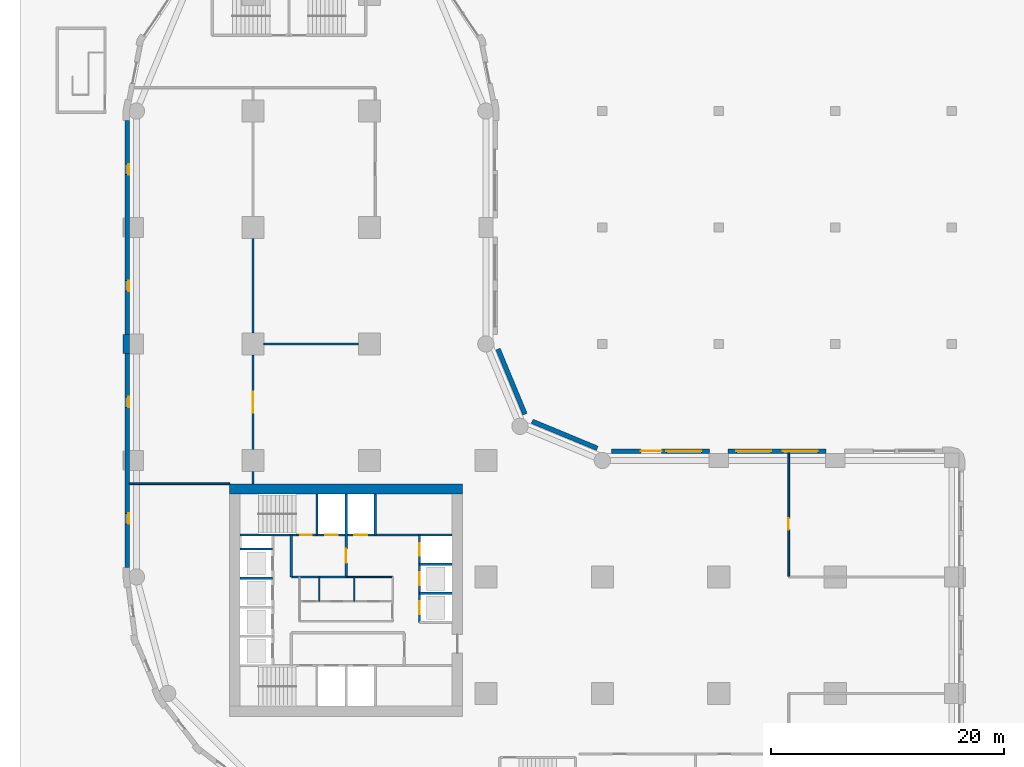
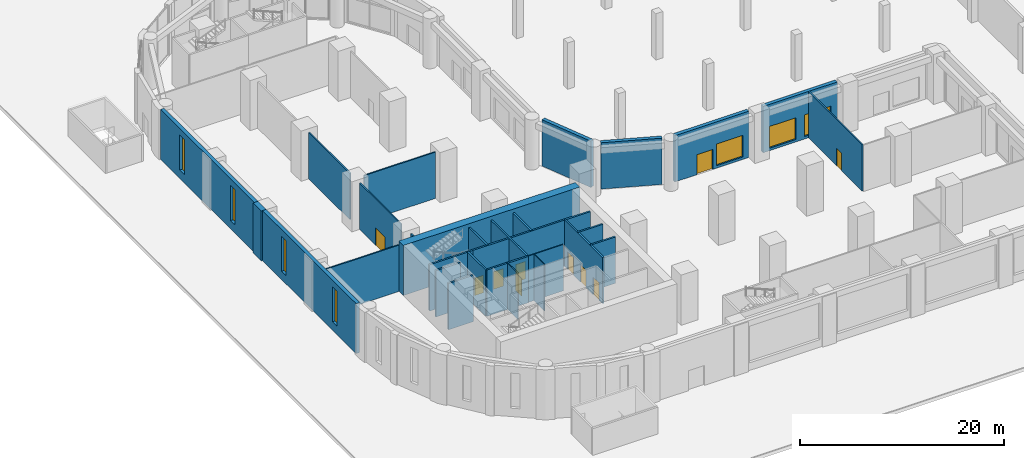
# One storey, part 9 of 21: 29 walls, 10 doors, 7 windows, 17 openings.
"""IFC4 building model written with IfcOpenShell, lengths in metres."""

from ifc_helpers import new_model, si_unit, direction, frame, frame_2d, origin, place, context, subcontext, project, spatial, polyline, rectangle, outline, extrude, material, layer, layer_set, type_object, element, fill, save


model = new_model("IFC4")

# Units and contexts
model_context = context("Model", 3, precision=1e-05, world=origin(), true_north=direction((0.0, 1.0)))
body_context = subcontext(model_context, "Body", "Model", "MODEL_VIEW")
ifc_project = project(units=[si_unit("LENGTHUNIT", "METRE"), si_unit("AREAUNIT", "SQUARE_METRE"), si_unit("VOLUMEUNIT", "CUBIC_METRE"), si_unit("PLANEANGLEUNIT", "RADIAN"), si_unit("MASSUNIT", "GRAM", prefix="KILO")], contexts=[model_context])

# Site, building, storey
site_placement = place(None, origin())
site = spatial("IfcSite", under=ifc_project, at=site_placement, CompositionType="ELEMENT")
building_placement = place(site_placement, origin())
building = spatial("IfcBuilding", under=site, at=building_placement, Name="Qaws Garden Tower", CompositionType="ELEMENT")
storey_placement = place(building_placement, origin())
storey = spatial("IfcBuildingStorey", under=building, at=storey_placement, Name="L00", CompositionType="ELEMENT", Elevation=0.0)

# Wall, openings, windows
ifc_material_1 = material(Name="Brick masonry", Category="masonry")
ifc_layer_1 = layer(ifc_material_1, 0.39990234375)
ifc_layer_set_1 = layer_set([ifc_layer_1], Name="Brick masonry")
wall_type_1 = type_object("IfcWallType", Name="Base facade wall 400", PredefinedType="SOLIDWALL", material=ifc_layer_set_1)
wall_1_placement = place(storey_placement, frame((59.199951171875, 30.800048828125, 0.0), z_axis=(0.0, 0.0, 1.0), x_axis=(-1.0, 0.0, 0.0)))
wall_1 = element("IfcWall", 1, at=wall_1_placement, inside=storey, type_object=wall_type_1, Name="Base facade wall", PredefinedType="SOLIDWALL", context=body_context, shape_type="SweptSolid", body=[
    extrude(rectangle(XDim=8.39990234375, YDim=0.39990234375, at=frame_2d((4.199951171875, 0.0))), origin(), (0.0, 0.0, 1.0), 5.550048828125),
])
opening_1_placement = place(wall_1_placement, frame((0.699951171875, 0.0, 0.300048828125)))
opening_1 = element("IfcOpeningElement", 2, at=opening_1_placement, cuts=wall_1, Name="Opening PW-S1", PredefinedType="OPENING", context=body_context, shape_type="SweptSolid", body=[
    extrude(rectangle(XDim=3.0, YDim=2.60009765625, at=frame_2d((1.5, 1.300048828125))), frame((0.0, 0.2099609375, 0.0), z_axis=(0.0, -1.0, 0.0), x_axis=(1.0, 0.0, 0.0)), (0.0, 0.0, 1.0), 0.419921875),
])
opening_2_placement = place(wall_1_placement, frame((4.699951171875, 0.0, 0.300048828125)))
opening_2 = element("IfcOpeningElement", 3, at=opening_2_placement, cuts=wall_1, Name="Opening PW-S1", PredefinedType="OPENING", context=body_context, shape_type="SweptSolid", body=[
    extrude(rectangle(XDim=3.0, YDim=2.60009765625, at=frame_2d((1.5, 1.300048828125))), frame((0.0, 0.2099609375, 0.0), z_axis=(0.0, -1.0, 0.0), x_axis=(1.0, 0.0, 0.0)), (0.0, 0.0, 1.0), 0.419921875),
])
ifc_material_2 = material(Name="Aluminium and clear glass", Category="aluminium")
window_type_1 = type_object("IfcWindowType", Name="Shopfront window 3000", PartitioningType="TRIPLE_PANEL_VERTICAL", PredefinedType="WINDOW", material=ifc_material_2)
window_1_placement = place(opening_1_placement, origin())
window_1 = element("IfcWindow", 4, at=window_1_placement, inside=storey, type_object=window_type_1, Name="Shopfront window", OverallHeight=2.60009765625, OverallWidth=3.0, PartitioningType="SINGLE_PANEL", PredefinedType="WINDOW", context=body_context, shape_type="SweptSolid", body=[
    extrude(rectangle(XDim=3.0, YDim=2.60009765625, at=frame_2d((1.5, 1.300048828125))), frame((0.0, 0.030029296875, 0.0), z_axis=(0.0, -1.0, 0.0), x_axis=(1.0, 0.0, 0.0)), (0.0, 0.0, 1.0), 0.06005859375),
])
fill(opening_1, window_1)
window_2_placement = place(opening_2_placement, origin())
window_2 = element("IfcWindow", 5, at=window_2_placement, inside=storey, type_object=window_type_1, Name="Shopfront window", OverallHeight=2.60009765625, OverallWidth=3.0, PartitioningType="SINGLE_PANEL", PredefinedType="WINDOW", context=body_context, shape_type="SweptSolid", body=[
    extrude(rectangle(XDim=3.0, YDim=2.60009765625, at=frame_2d((1.5, 1.300048828125))), frame((0.0, 0.030029296875, 0.0), z_axis=(0.0, -1.0, 0.0), x_axis=(1.0, 0.0, 0.0)), (0.0, 0.0, 1.0), 0.06005859375),
])
fill(opening_2, window_2)

# Wall, openings, door, window
wall_2_placement = place(storey_placement, frame((49.199951171875, 30.800048828125, 0.0), z_axis=(0.0, 0.0, 1.0), x_axis=(-1.0, 0.0, 0.0)))
wall_2 = element("IfcWall", 6, at=wall_2_placement, inside=storey, type_object=wall_type_1, Name="Base facade wall", PredefinedType="SOLIDWALL", context=body_context, shape_type="SweptSolid", body=[
    extrude(rectangle(XDim=8.39990234375, YDim=0.39990234375, at=frame_2d((4.199951171875, 0.0))), origin(), (0.0, 0.0, 1.0), 5.550048828125),
])
opening_3_placement = place(wall_2_placement, frame((0.699951171875, 0.0, 0.300048828125)))
opening_3 = element("IfcOpeningElement", 7, at=opening_3_placement, cuts=wall_2, Name="Opening PW-S1", PredefinedType="OPENING", context=body_context, shape_type="SweptSolid", body=[
    extrude(rectangle(XDim=3.0, YDim=2.60009765625, at=frame_2d((1.5, 1.300048828125))), frame((0.0, 0.2099609375, 0.0), z_axis=(0.0, -1.0, 0.0), x_axis=(1.0, 0.0, 0.0)), (0.0, 0.0, 1.0), 0.419921875),
])
opening_4_placement = place(wall_2_placement, frame((4.10009765625, 0.0, 0.0)))
opening_4 = element("IfcOpeningElement", 8, at=opening_4_placement, cuts=wall_2, Name="Opening PD6-05", PredefinedType="OPENING", context=body_context, shape_type="SweptSolid", body=[
    extrude(rectangle(XDim=1.800048828125, YDim=2.39990234375, at=frame_2d((0.89990234375, 1.199951171875))), frame((0.0, 0.2099609375, 0.0), z_axis=(0.0, -1.0, 0.0), x_axis=(1.0, 0.0, 0.0)), (0.0, 0.0, 1.0), 0.419921875),
])
ifc_material_3 = material(Name="Steel S235 framed door leaf", Category="steel")
door_type_1 = type_object("IfcDoorType", Name="Door D6 shopfront entrance 1800", OperationType="DOUBLE_DOOR_SINGLE_SWING", PredefinedType="DOOR", material=ifc_material_3)
door_1_placement = place(opening_4_placement, origin())
door_1 = element("IfcDoor", 9, at=door_1_placement, inside=storey, type_object=door_type_1, Name="Tower entrance door", OperationType="DOUBLE_DOOR_SINGLE_SWING", OverallHeight=2.39990234375, OverallWidth=1.800048828125, PredefinedType="DOOR", context=body_context, shape_type="SweptSolid", body=[
    extrude(rectangle(XDim=1.800048828125, YDim=2.39990234375, at=frame_2d((0.89990234375, 1.199951171875))), frame((0.0, 0.02490234375, 0.0), z_axis=(0.0, -1.0, 0.0), x_axis=(1.0, 0.0, 0.0)), (0.0, 0.0, 1.0), 0.050048828125),
])
fill(opening_4, door_1)
window_3_placement = place(opening_3_placement, origin())
window_3 = element("IfcWindow", 10, at=window_3_placement, inside=storey, type_object=window_type_1, Name="Shopfront window", OverallHeight=2.60009765625, OverallWidth=3.0, PartitioningType="SINGLE_PANEL", PredefinedType="WINDOW", context=body_context, shape_type="SweptSolid", body=[
    extrude(rectangle(XDim=3.0, YDim=2.60009765625, at=frame_2d((1.5, 1.300048828125))), frame((0.0, 0.030029296875, 0.0), z_axis=(0.0, -1.0, 0.0), x_axis=(1.0, 0.0, 0.0)), (0.0, 0.0, 1.0), 0.06005859375),
])
fill(opening_3, window_3)

# Walls
for number, where, z_axis, x_axis, name in (
    (11, (39.56689453125, 31.04541015625, 0.0), (0.0, 0.0, 1.0), (-0.923891000409, 0.382655745237, 0.0), "Base facade wall"),
    (12, (33.36181640625, 33.97412109375, 0.0), (0.0, 0.0, 1.0), (-0.382655745237, 0.923891000409, 0.0), "Base facade wall"),
):
    element("IfcWall", number, at=place(storey_placement, frame(where, z_axis=z_axis, x_axis=x_axis)), inside=storey, type_object=wall_type_1, Name=name, PredefinedType="SOLIDWALL", context=body_context, shape_type="SweptSolid", body=[
        extrude(rectangle(XDim=6.053466796875, YDim=0.39990234375, at=frame_2d((3.02685546875, 0.0))), origin(), (0.0, 0.0, 1.0), 5.550048828125),
    ])
ifc_material_4 = material(Name="Plasterboard")
ifc_layer_2 = layer(ifc_material_4, 0.10009765625)
ifc_layer_set_2 = layer_set([ifc_layer_2], Name="Plasterboard")
wall_type_2 = type_object("IfcWallType", Name="Core partition 100", PredefinedType="PARTITIONING", material=ifc_layer_set_2)
wall_3_placement = place(storey_placement, frame((18.0, 20.0, 0.0), z_axis=(0.0, 0.0, 1.0), x_axis=(1.0, 0.0, 0.0)))
element("IfcWall", 13, at=wall_3_placement, inside=storey, type_object=wall_type_2, Name="Core partition", PredefinedType="PARTITIONING", context=body_context, shape_type="SweptSolid", body=[
    extrude(rectangle(XDim=4.0, YDim=0.10009765625, at=frame_2d((2.0, 0.0))), origin(), (0.0, 0.0, 1.0), 5.550048828125),
])
for number, where, z_axis, x_axis, name in (
    (14, (15.699951171875, 17.89990234375, 0.0), (0.0, 0.0, 1.0), (0.0, 1.0, 0.0), "Core partition"),
    (15, (18.699951171875, 17.89990234375, 0.0), (0.0, 0.0, 1.0), (0.0, 1.0, 0.0), "Core partition"),
):
    element("IfcWall", number, at=place(storey_placement, frame(where, z_axis=z_axis, x_axis=x_axis)), inside=storey, type_object=wall_type_2, Name=name, PredefinedType="PARTITIONING", context=body_context, shape_type="SweptSolid", body=[
        extrude(rectangle(XDim=2.10009765625, YDim=0.10009765625, at=frame_2d((1.050048828125, 0.0))), origin(), (0.0, 0.0, 1.0), 5.550048828125),
    ])
ifc_material_5 = material(Name="Concrete C80", Category="concrete")
ifc_layer_3 = layer(ifc_material_5, 0.199951171875)
ifc_layer_set_3 = layer_set([ifc_layer_3], Name="Concrete C80")
wall_type_3 = type_object("IfcWallType", Name="Core shaft wall 200 C80", PredefinedType="SHEAR", material=ifc_layer_set_3)
for number, where, z_axis, x_axis, name in (
    (16, (24.300048828125, 18.60009765625, 0.0), (0.0, 0.0, 1.0), (1.0, 0.0, 0.0), "Shaft wall"),
    (17, (8.89990234375, 19.89990234375, 0.0), (0.0, 0.0, 1.0), (1.0, 0.0, 0.0), "Shaft wall"),
):
    element("IfcWall", number, at=place(storey_placement, frame(where, z_axis=z_axis, x_axis=x_axis)), inside=storey, type_object=wall_type_3, Name=name, PredefinedType="SHEAR", context=body_context, shape_type="SweptSolid", body=[
        extrude(rectangle(XDim=2.800048828125, YDim=0.199951171875, at=frame_2d((1.39990234375, 0.0))), origin(), (0.0, 0.0, 1.0), 5.550048828125),
    ])
wall_4_placement = place(storey_placement, frame((13.300048828125, 20.0, 0.0), z_axis=(0.0, 0.0, 1.0), x_axis=(1.0, 0.0, 0.0)))
element("IfcWall", 18, at=wall_4_placement, inside=storey, type_object=wall_type_3, Name="Shaft wall", PredefinedType="SHEAR", context=body_context, shape_type="SweptSolid", body=[
    extrude(rectangle(XDim=4.699951171875, YDim=0.199951171875, at=frame_2d((2.35009765625, 0.0))), origin(), (0.0, 0.0, 1.0), 5.550048828125),
])
for number, where, z_axis, x_axis, name in (
    (19, (24.300048828125, 21.10009765625, 0.0), (0.0, 0.0, 1.0), (1.0, 0.0, 0.0), "Shaft wall"),
    (20, (8.89990234375, 22.39990234375, 0.0), (0.0, 0.0, 1.0), (1.0, 0.0, 0.0), "Shaft wall"),
):
    element("IfcWall", number, at=place(storey_placement, frame(where, z_axis=z_axis, x_axis=x_axis)), inside=storey, type_object=wall_type_3, Name=name, PredefinedType="SHEAR", context=body_context, shape_type="SweptSolid", body=[
        extrude(rectangle(XDim=2.800048828125, YDim=0.199951171875, at=frame_2d((1.39990234375, 0.0))), origin(), (0.0, 0.0, 1.0), 5.550048828125),
    ])
wall_5_placement = place(storey_placement, frame((8.89990234375, 23.60009765625, 0.0), z_axis=(0.0, 0.0, 1.0), x_axis=(1.0, 0.0, 0.0)))
element("IfcWall", 21, at=wall_5_placement, inside=storey, type_object=wall_type_3, Name="Shaft wall", PredefinedType="SHEAR", context=body_context, shape_type="SweptSolid", body=[
    extrude(rectangle(XDim=4.900146484375, YDim=0.199951171875, at=frame_2d((2.4501953125, 0.0))), origin(), (0.0, 0.0, 1.0), 5.550048828125),
])

# Wall, openings, doors
wall_6_placement = place(storey_placement, frame((13.800048828125, 23.60009765625, 0.0), z_axis=(0.0, 0.0, 1.0), x_axis=(1.0, 0.0, 0.0)))
wall_6 = element("IfcWall", 22, at=wall_6_placement, inside=storey, type_object=wall_type_3, Name="Shaft wall", PredefinedType="SHEAR", context=body_context, shape_type="SweptSolid", body=[
    extrude(rectangle(XDim=13.300048828125, YDim=0.199951171875, at=frame_2d((6.64990234375, 0.0))), origin(), (0.0, 0.0, 1.0), 5.550048828125),
])
opening_5_placement = place(wall_6_placement, frame((2.39990234375, 0.0, 0.0)))
opening_5 = element("IfcOpeningElement", 23, at=opening_5_placement, cuts=wall_6, Name="Opening LD10", PredefinedType="OPENING", context=body_context, shape_type="SweptSolid", body=[
    extrude(rectangle(XDim=1.10009765625, YDim=2.10009765625, at=frame_2d((0.550048828125, 1.050048828125))), frame((0.0, 0.10986328125, 0.0), z_axis=(0.0, -1.0, 0.0), x_axis=(1.0, 0.0, 0.0)), (0.0, 0.0, 1.0), 0.219970703125),
])
opening_6_placement = place(wall_6_placement, frame((4.89990234375, 0.0, 0.0)))
opening_6 = element("IfcOpeningElement", 24, at=opening_6_placement, cuts=wall_6, Name="Opening LD11", PredefinedType="OPENING", context=body_context, shape_type="SweptSolid", body=[
    extrude(rectangle(XDim=1.10009765625, YDim=2.10009765625, at=frame_2d((0.550048828125, 1.050048828125))), frame((0.0, 0.10986328125, 0.0), z_axis=(0.0, -1.0, 0.0), x_axis=(1.0, 0.0, 0.0)), (0.0, 0.0, 1.0), 0.219970703125),
])
opening_7_placement = place(wall_6_placement, frame((0.25, 0.0, 0.0)))
opening_7 = element("IfcOpeningElement", 25, at=opening_7_placement, cuts=wall_6, Name="Opening SD13", PredefinedType="OPENING", context=body_context, shape_type="SweptSolid", body=[
    extrude(rectangle(XDim=1.0, YDim=2.10009765625, at=frame_2d((0.5, 1.050048828125))), frame((0.0, 0.10986328125, 0.0), z_axis=(0.0, -1.0, 0.0), x_axis=(1.0, 0.0, 0.0)), (0.0, 0.0, 1.0), 0.219970703125),
])
ifc_material_6 = material(Name="Steel S235", Category="steel")
door_type_2 = type_object("IfcDoorType", Name="Landing door 1100x2100", OperationType="DOUBLE_DOOR_SLIDING", PredefinedType="DOOR", material=ifc_material_6)
door_2_placement = place(opening_5_placement, origin())
door_2 = element("IfcDoor", 26, at=door_2_placement, inside=storey, type_object=door_type_2, Name="Lift FF3 landing door", OperationType="DOUBLE_DOOR_SLIDING", OverallHeight=2.10009765625, OverallWidth=1.10009765625, PredefinedType="DOOR", context=body_context, shape_type="SweptSolid", body=[
    extrude(rectangle(XDim=1.10009765625, YDim=2.10009765625, at=frame_2d((0.550048828125, 1.050048828125))), frame((0.0, 0.02490234375, 0.0), z_axis=(0.0, -1.0, 0.0), x_axis=(1.0, 0.0, 0.0)), (0.0, 0.0, 1.0), 0.050048828125),
])
fill(opening_5, door_2)
door_3_placement = place(opening_6_placement, origin())
door_3 = element("IfcDoor", 27, at=door_3_placement, inside=storey, type_object=door_type_2, Name="Lift SV2 landing door", OperationType="DOUBLE_DOOR_SLIDING", OverallHeight=2.10009765625, OverallWidth=1.10009765625, PredefinedType="DOOR", context=body_context, shape_type="SweptSolid", body=[
    extrude(rectangle(XDim=1.10009765625, YDim=2.10009765625, at=frame_2d((0.550048828125, 1.050048828125))), frame((0.0, 0.02490234375, 0.0), z_axis=(0.0, -1.0, 0.0), x_axis=(1.0, 0.0, 0.0)), (0.0, 0.0, 1.0), 0.050048828125),
])
fill(opening_6, door_3)
ifc_material_7 = material(Name="Steel S235", Category="steel")
door_type_3 = type_object("IfcDoorType", Name="Stair door 1000x2100", OperationType="SINGLE_SWING_RIGHT", PredefinedType="DOOR", material=ifc_material_7)
door_4_placement = place(opening_7_placement, origin())
door_4 = element("IfcDoor", 28, at=door_4_placement, inside=storey, type_object=door_type_3, Name="Stair 4 door", OperationType="SINGLE_SWING_RIGHT", OverallHeight=2.10009765625, OverallWidth=1.0, PredefinedType="DOOR", context=body_context, shape_type="SweptSolid", body=[
    extrude(rectangle(XDim=1.0, YDim=2.10009765625, at=frame_2d((0.5, 1.050048828125))), frame((0.0, 0.02490234375, 0.0), z_axis=(0.0, -1.0, 0.0), x_axis=(1.0, 0.0, 0.0)), (0.0, 0.0, 1.0), 0.050048828125),
])
fill(opening_7, door_4)

# Walls
wall_7_placement = place(storey_placement, frame((13.300048828125, 20.0, 0.0), z_axis=(0.0, 0.0, 1.0), x_axis=(0.0, 1.0, 0.0)))
element("IfcWall", 29, at=wall_7_placement, inside=storey, type_object=wall_type_3, Name="Shaft wall", PredefinedType="SHEAR", context=body_context, shape_type="SweptSolid", body=[
    extrude(rectangle(XDim=3.60009765625, YDim=0.199951171875, at=frame_2d((1.800048828125, 0.0))), origin(), (0.0, 0.0, 1.0), 5.550048828125),
])
wall_8_placement = place(storey_placement, frame((15.5, 23.60009765625, 0.0), z_axis=(0.0, 0.0, 1.0), x_axis=(0.0, 1.0, 0.0)))
element("IfcWall", 30, at=wall_8_placement, inside=storey, type_object=wall_type_3, Name="Shaft wall", PredefinedType="SHEAR", context=body_context, shape_type="SweptSolid", body=[
    extrude(rectangle(XDim=3.5, YDim=0.199951171875, at=frame_2d((1.75, 0.0))), origin(), (0.0, 0.0, 1.0), 5.550048828125),
])

# Wall, opening, door
wall_9_placement = place(storey_placement, frame((18.0, 20.0, 0.0), z_axis=(0.0, 0.0, 1.0), x_axis=(0.0, 1.0, 0.0)))
wall_9 = element("IfcWall", 31, at=wall_9_placement, inside=storey, type_object=wall_type_3, Name="Shaft wall", PredefinedType="SHEAR", context=body_context, shape_type="SweptSolid", body=[
    extrude(rectangle(XDim=7.10009765625, YDim=0.199951171875, at=frame_2d((3.550048828125, 0.0))), origin(), (0.0, 0.0, 1.0), 5.550048828125),
])
opening_8_placement = place(wall_9_placement, frame((1.199951171875, 0.0, 0.0)))
opening_8 = element("IfcOpeningElement", 32, at=opening_8_placement, cuts=wall_9, Name="Opening FD18", PredefinedType="OPENING", context=body_context, shape_type="SweptSolid", body=[
    extrude(rectangle(XDim=1.199951171875, YDim=2.10009765625, at=frame_2d((0.60009765625, 1.050048828125))), frame((0.0, 0.10986328125, 0.0), z_axis=(0.0, -1.0, 0.0), x_axis=(1.0, 0.0, 0.0)), (0.0, 0.0, 1.0), 0.219970703125),
])
ifc_material_8 = material(Name="Steel S235", Category="steel")
door_type_4 = type_object("IfcDoorType", Name="Lobby door 1200x2100", OperationType="DOUBLE_DOOR_SINGLE_SWING", PredefinedType="DOOR", material=ifc_material_8)
door_5_placement = place(opening_8_placement, origin())
door_5 = element("IfcDoor", 33, at=door_5_placement, inside=storey, type_object=door_type_4, Name="Fire-fighting lobby door", OperationType="DOUBLE_DOOR_SINGLE_SWING", OverallHeight=2.10009765625, OverallWidth=1.199951171875, PredefinedType="DOOR", context=body_context, shape_type="SweptSolid", body=[
    extrude(rectangle(XDim=1.199951171875, YDim=2.10009765625, at=frame_2d((0.60009765625, 1.050048828125))), frame((0.0, 0.02490234375, 0.0), z_axis=(0.0, -1.0, 0.0), x_axis=(1.0, 0.0, 0.0)), (0.0, 0.0, 1.0), 0.050048828125),
])
fill(opening_8, door_5)

# Wall
wall_10_placement = place(storey_placement, frame((20.5, 23.60009765625, 0.0), z_axis=(0.0, 0.0, 1.0), x_axis=(0.0, 1.0, 0.0)))
element("IfcWall", 34, at=wall_10_placement, inside=storey, type_object=wall_type_3, Name="Shaft wall", PredefinedType="SHEAR", context=body_context, shape_type="SweptSolid", body=[
    extrude(rectangle(XDim=3.5, YDim=0.199951171875, at=frame_2d((1.75, 0.0))), origin(), (0.0, 0.0, 1.0), 5.550048828125),
])

# Wall, openings, doors
wall_11_placement = place(storey_placement, frame((24.300048828125, 16.10009765625, 0.0), z_axis=(0.0, 0.0, 1.0), x_axis=(0.0, 1.0, 0.0)))
wall_11 = element("IfcWall", 35, at=wall_11_placement, inside=storey, type_object=wall_type_3, Name="Shaft wall", PredefinedType="SHEAR", context=body_context, shape_type="SweptSolid", body=[
    extrude(rectangle(XDim=7.5, YDim=0.199951171875, at=frame_2d((3.75, 0.0))), origin(), (0.0, 0.0, 1.0), 5.550048828125),
])
opening_9_placement = place(wall_11_placement, frame((0.699951171875, 0.0, 0.0)))
opening_9 = element("IfcOpeningElement", 36, at=opening_9_placement, cuts=wall_11, Name="Opening LD05", PredefinedType="OPENING", context=body_context, shape_type="SweptSolid", body=[
    extrude(rectangle(XDim=1.10009765625, YDim=2.10009765625, at=frame_2d((0.550048828125, 1.050048828125))), frame((0.0, 0.10986328125, 0.0), z_axis=(0.0, -1.0, 0.0), x_axis=(1.0, 0.0, 0.0)), (0.0, 0.0, 1.0), 0.219970703125),
])
opening_10_placement = place(wall_11_placement, frame((3.199951171875, 0.0, 0.0)))
opening_10 = element("IfcOpeningElement", 37, at=opening_10_placement, cuts=wall_11, Name="Opening LD06", PredefinedType="OPENING", context=body_context, shape_type="SweptSolid", body=[
    extrude(rectangle(XDim=1.10009765625, YDim=2.10009765625, at=frame_2d((0.550048828125, 1.050048828125))), frame((0.0, 0.10986328125, 0.0), z_axis=(0.0, -1.0, 0.0), x_axis=(1.0, 0.0, 0.0)), (0.0, 0.0, 1.0), 0.219970703125),
])
opening_11_placement = place(wall_11_placement, frame((5.699951171875, 0.0, 0.0)))
opening_11 = element("IfcOpeningElement", 38, at=opening_11_placement, cuts=wall_11, Name="Opening LD07", PredefinedType="OPENING", context=body_context, shape_type="SweptSolid", body=[
    extrude(rectangle(XDim=1.10009765625, YDim=2.10009765625, at=frame_2d((0.550048828125, 1.050048828125))), frame((0.0, 0.10986328125, 0.0), z_axis=(0.0, -1.0, 0.0), x_axis=(1.0, 0.0, 0.0)), (0.0, 0.0, 1.0), 0.219970703125),
])
door_6_placement = place(opening_9_placement, origin())
door_6 = element("IfcDoor", 39, at=door_6_placement, inside=storey, type_object=door_type_2, Name="Lift E1 landing door", OperationType="DOUBLE_DOOR_SLIDING", OverallHeight=2.10009765625, OverallWidth=1.10009765625, PredefinedType="DOOR", context=body_context, shape_type="SweptSolid", body=[
    extrude(rectangle(XDim=1.10009765625, YDim=2.10009765625, at=frame_2d((0.550048828125, 1.050048828125))), frame((0.0, 0.02490234375, 0.0), z_axis=(0.0, -1.0, 0.0), x_axis=(1.0, 0.0, 0.0)), (0.0, 0.0, 1.0), 0.050048828125),
])
fill(opening_9, door_6)
door_7_placement = place(opening_10_placement, origin())
door_7 = element("IfcDoor", 40, at=door_7_placement, inside=storey, type_object=door_type_2, Name="Lift E2 landing door", OperationType="DOUBLE_DOOR_SLIDING", OverallHeight=2.10009765625, OverallWidth=1.10009765625, PredefinedType="DOOR", context=body_context, shape_type="SweptSolid", body=[
    extrude(rectangle(XDim=1.10009765625, YDim=2.10009765625, at=frame_2d((0.550048828125, 1.050048828125))), frame((0.0, 0.02490234375, 0.0), z_axis=(0.0, -1.0, 0.0), x_axis=(1.0, 0.0, 0.0)), (0.0, 0.0, 1.0), 0.050048828125),
])
fill(opening_10, door_7)
door_8_placement = place(opening_11_placement, origin())
door_8 = element("IfcDoor", 41, at=door_8_placement, inside=storey, type_object=door_type_2, Name="Lift E3 landing door", OperationType="DOUBLE_DOOR_SLIDING", OverallHeight=2.10009765625, OverallWidth=1.10009765625, PredefinedType="DOOR", context=body_context, shape_type="SweptSolid", body=[
    extrude(rectangle(XDim=1.10009765625, YDim=2.10009765625, at=frame_2d((0.550048828125, 1.050048828125))), frame((0.0, 0.02490234375, 0.0), z_axis=(0.0, -1.0, 0.0), x_axis=(1.0, 0.0, 0.0)), (0.0, 0.0, 1.0), 0.050048828125),
])
fill(opening_11, door_8)

# Wall
ifc_material_9 = material(Name="Concrete C80", Category="concrete")
ifc_layer_4 = layer(ifc_material_9, 0.89990234375)
ifc_layer_set_4 = layer_set([ifc_layer_4], Name="Concrete C80")
wall_type_4 = type_object("IfcWallType", Name="Core wall 900 C80", PredefinedType="SHEAR", material=ifc_layer_set_4)
wall_12_placement = place(storey_placement, frame((28.0, 27.550048828125, 0.0), z_axis=(0.0, 0.0, 1.0), x_axis=(-1.0, 0.0, 0.0)))
element("IfcWall", 42, at=wall_12_placement, inside=storey, type_object=wall_type_4, Name="Core wall L00 north", PredefinedType="SHEAR", context=body_context, shape_type="SweptSolid", body=[
    extrude(rectangle(XDim=20.0, YDim=0.89990234375, at=frame_2d((10.0, 0.0))), origin(), (0.0, 0.0, 1.0), 6.0),
])

# Wall, opening, door
ifc_material_10 = material(Name="Gypsum board on steel S235 stud", Category="steel")
ifc_layer_5 = layer(ifc_material_10, 0.14990234375)
ifc_layer_set_5 = layer_set([ifc_layer_5], Name="Gypsum board on steel S235 stud")
wall_type_5 = type_object("IfcWallType", Name="Partition 150", PredefinedType="PARTITIONING", material=ifc_layer_set_5)
wall_13_placement = place(storey_placement, frame((56.0, 20.050048828125, 0.0), z_axis=(0.0, 0.0, 1.0), x_axis=(0.0, 1.0, 0.0)))
wall_13 = element("IfcWall", 43, at=wall_13_placement, inside=storey, type_object=wall_type_5, Name="Retail partition", PredefinedType="PARTITIONING", context=body_context, shape_type="SweptSolid", body=[
    extrude(rectangle(XDim=10.550048828125, YDim=0.14990234375, at=frame_2d((5.27490234375, 0.0))), origin(), (0.0, 0.0, 1.0), 5.550048828125),
])
opening_12_placement = place(wall_13_placement, frame((4.0, 0.0, 0.0)))
opening_12 = element("IfcOpeningElement", 44, at=opening_12_placement, cuts=wall_13, Name="Opening PD1-02", PredefinedType="OPENING", context=body_context, shape_type="SweptSolid", body=[
    extrude(rectangle(XDim=1.0, YDim=2.10009765625, at=frame_2d((0.5, 1.050048828125))), frame((0.0, 0.0849609375, 0.0), z_axis=(0.0, -1.0, 0.0), x_axis=(1.0, 0.0, 0.0)), (0.0, 0.0, 1.0), 0.169921875),
])
ifc_material_11 = material(Name="Steel S235 framed door leaf", Category="steel")
door_type_5 = type_object("IfcDoorType", Name="Door D1 single 1000", OperationType="SINGLE_SWING_LEFT", PredefinedType="DOOR", material=ifc_material_11)
door_9_placement = place(opening_12_placement, frame((1.0, 0.0, 0.0), z_axis=(0.0, 0.0, 1.0), x_axis=(-1.0, 0.0, 0.0)))
door_9 = element("IfcDoor", 45, at=door_9_placement, inside=storey, type_object=door_type_5, Name="Retail unit door", OperationType="SINGLE_SWING_LEFT", OverallHeight=2.10009765625, OverallWidth=1.0, PredefinedType="DOOR", context=body_context, shape_type="SweptSolid", body=[
    extrude(rectangle(XDim=1.0, YDim=2.10009765625, at=frame_2d((0.5, 1.050048828125))), frame((0.0, 0.02490234375, 0.0), z_axis=(0.0, -1.0, 0.0), x_axis=(1.0, 0.0, 0.0)), (0.0, 0.0, 1.0), 0.050048828125),
])
fill(opening_12, door_9)

# Wall
wall_14_placement = place(storey_placement, frame((10.0, 28.0, 0.0), z_axis=(0.0, 0.0, 1.0), x_axis=(0.0, 1.0, 0.0)))
element("IfcWall", 46, at=wall_14_placement, inside=storey, type_object=wall_type_5, Name="Lounge wall", PredefinedType="PARTITIONING", context=body_context, shape_type="SweptSolid", body=[
    extrude(rectangle(XDim=1.050048828125, YDim=0.14990234375, at=frame_2d((0.52490234375, 0.0))), origin(), (0.0, 0.0, 1.0), 5.550048828125),
])

# Wall, opening, door
wall_15_placement = place(storey_placement, frame((10.0, 30.949951171875, 0.0), z_axis=(0.0, 0.0, 1.0), x_axis=(0.0, 1.0, 0.0)))
wall_15 = element("IfcWall", 47, at=wall_15_placement, inside=storey, type_object=wall_type_5, Name="Lounge wall", PredefinedType="PARTITIONING", context=body_context, shape_type="SweptSolid", body=[
    extrude(rectangle(XDim=8.10009765625, YDim=0.14990234375, at=frame_2d((4.050048828125, 0.0))), origin(), (0.0, 0.0, 1.0), 5.550048828125),
])
opening_13_placement = place(wall_15_placement, frame((3.14990234375, 0.0, 0.0)))
opening_13 = element("IfcOpeningElement", 48, at=opening_13_placement, cuts=wall_15, Name="Opening PD2-05", PredefinedType="OPENING", context=body_context, shape_type="SweptSolid", body=[
    extrude(rectangle(XDim=1.800048828125, YDim=2.10009765625, at=frame_2d((0.89990234375, 1.050048828125))), frame((0.0, 0.0849609375, 0.0), z_axis=(0.0, -1.0, 0.0), x_axis=(1.0, 0.0, 0.0)), (0.0, 0.0, 1.0), 0.169921875),
])
ifc_material_12 = material(Name="Steel S235 framed door leaf", Category="steel")
door_type_6 = type_object("IfcDoorType", Name="Door D2 double 1800", OperationType="DOUBLE_DOOR_SINGLE_SWING", PredefinedType="DOOR", material=ifc_material_12)
door_10_placement = place(opening_13_placement, origin())
door_10 = element("IfcDoor", 49, at=door_10_placement, inside=storey, type_object=door_type_6, Name="Tenant lounge door", OperationType="DOUBLE_DOOR_SINGLE_SWING", OverallHeight=2.10009765625, OverallWidth=1.800048828125, PredefinedType="DOOR", context=body_context, shape_type="SweptSolid", body=[
    extrude(rectangle(XDim=1.800048828125, YDim=2.10009765625, at=frame_2d((0.89990234375, 1.050048828125))), frame((0.0, 0.02490234375, 0.0), z_axis=(0.0, -1.0, 0.0), x_axis=(1.0, 0.0, 0.0)), (0.0, 0.0, 1.0), 0.050048828125),
])
fill(opening_13, door_10)

# Walls
for number, where, z_axis, x_axis, name in (
    (50, (10.0, 40.949951171875, 0.0), (0.0, 0.0, 1.0), (0.0, 1.0, 0.0), "Lounge wall"),
    (51, (10.949951171875, 40.0, 0.0), (0.0, 0.0, 1.0), (1.0, 0.0, 0.0), "Lobby partition"),
):
    element("IfcWall", number, at=place(storey_placement, frame(where, z_axis=z_axis, x_axis=x_axis)), inside=storey, type_object=wall_type_5, Name=name, PredefinedType="PARTITIONING", context=body_context, shape_type="SweptSolid", body=[
        extrude(rectangle(XDim=8.10009765625, YDim=0.14990234375, at=frame_2d((4.050048828125, 0.0))), origin(), (0.0, 0.0, 1.0), 5.550048828125),
    ])
wall_16_placement = place(storey_placement, frame((-0.60009765625, 28.0, 0.0), z_axis=(0.0, 0.0, 1.0), x_axis=(1.0, 0.0, 0.0)))
element("IfcWall", 52, at=wall_16_placement, inside=storey, type_object=wall_type_5, Name="Lounge south wall", PredefinedType="PARTITIONING", context=body_context, shape_type="SweptSolid", body=[
    extrude(rectangle(XDim=8.60009765625, YDim=0.14990234375, at=frame_2d((4.300048828125, 0.0))), origin(), (0.0, 0.0, 1.0), 5.550048828125),
])

# Wall, openings, windows
ifc_material_13 = material(Name="Limestone ashlar masonry", Category="masonry")
ifc_layer_6 = layer(ifc_material_13, 0.39990234375)
ifc_layer_set_6 = layer_set([ifc_layer_6], Name="Limestone ashlar masonry")
wall_type_6 = type_object("IfcWallType", Name="Stone infill wall 400", PredefinedType="SOLIDWALL", material=ifc_layer_set_6)
wall_17_placement = place(storey_placement, frame((-0.800048828125, 59.199951171875, 0.0), z_axis=(0.0, 0.0, 1.0), x_axis=(0.0, -1.0, 0.0)))
wall_17 = element("IfcWall", 53, at=wall_17_placement, inside=storey, type_object=wall_type_6, Name="E-L00-infill-23", PredefinedType="SOLIDWALL", context=body_context, shape_type="SweptSolid", body=[
    extrude(rectangle(XDim=18.39990234375, YDim=0.39990234375, at=frame_2d((9.199951171875, 0.0))), origin(), (0.0, 0.0, 1.0), 6.0),
])
opening_14_placement = place(wall_17_placement, frame((3.75, 0.0, 1.0)))
opening_14 = element("IfcOpeningElement", 54, at=opening_14_placement, cuts=wall_17, Name="Opening W11", PredefinedType="OPENING", context=body_context, shape_type="SweptSolid", body=[
    extrude(rectangle(XDim=0.89990234375, YDim=4.199951171875, at=frame_2d((0.449951171875, 2.10009765625))), frame((0.0, 0.2099609375, 0.0), z_axis=(0.0, -1.0, 0.0), x_axis=(1.0, 0.0, 0.0)), (0.0, 0.0, 1.0), 0.419921875),
])
opening_15_placement = place(wall_17_placement, frame((13.75, 0.0, 1.0)))
opening_15 = element("IfcOpeningElement", 55, at=opening_15_placement, cuts=wall_17, Name="Opening W11", PredefinedType="OPENING", context=body_context, shape_type="SweptSolid", body=[
    extrude(rectangle(XDim=0.89990234375, YDim=4.199951171875, at=frame_2d((0.449951171875, 2.10009765625))), frame((0.0, 0.2099609375, 0.0), z_axis=(0.0, -1.0, 0.0), x_axis=(1.0, 0.0, 0.0)), (0.0, 0.0, 1.0), 0.419921875),
])
ifc_material_14 = material(Name="Aluminium framed window, clear glazing", Category="aluminium")
window_type_2 = type_object("IfcWindowType", Name="Slit window 900 x 4200", PartitioningType="SINGLE_PANEL", PredefinedType="WINDOW", material=ifc_material_14)
window_4_placement = place(opening_14_placement, origin())
window_4 = element("IfcWindow", 56, at=window_4_placement, inside=storey, type_object=window_type_2, Name="E-L00-window-23-0", OverallHeight=4.199951171875, OverallWidth=0.89990234375, PartitioningType="SINGLE_PANEL", PredefinedType="WINDOW", context=body_context, shape_type="SweptSolid", body=[
    extrude(rectangle(XDim=0.89990234375, YDim=4.199951171875, at=frame_2d((0.449951171875, 2.10009765625))), frame((0.0, 0.159912109375, 0.0), z_axis=(0.0, -1.0, 0.0), x_axis=(1.0, 0.0, 0.0)), (0.0, 0.0, 1.0), 0.06005859375),
])
fill(opening_14, window_4)
window_5_placement = place(opening_15_placement, origin())
window_5 = element("IfcWindow", 57, at=window_5_placement, inside=storey, type_object=window_type_2, Name="E-L00-window-24-0", OverallHeight=4.199951171875, OverallWidth=0.89990234375, PartitioningType="SINGLE_PANEL", PredefinedType="WINDOW", context=body_context, shape_type="SweptSolid", body=[
    extrude(rectangle(XDim=0.89990234375, YDim=4.199951171875, at=frame_2d((0.449951171875, 2.10009765625))), frame((0.0, 0.159912109375, 0.0), z_axis=(0.0, -1.0, 0.0), x_axis=(1.0, 0.0, 0.0)), (0.0, 0.0, 1.0), 0.06005859375),
])
fill(opening_15, window_5)

wall_18_placement = place(storey_placement, frame((-0.800048828125, 39.199951171875, 0.0), z_axis=(0.0, 0.0, 1.0), x_axis=(0.0, -1.0, 0.0)))
wall_18 = element("IfcWall", 58, at=wall_18_placement, inside=storey, type_object=wall_type_6, Name="E-L00-infill-25", PredefinedType="SOLIDWALL", context=body_context, shape_type="SweptSolid", body=[
    extrude(rectangle(XDim=18.39990234375, YDim=0.39990234375, at=frame_2d((9.199951171875, 0.0))), origin(), (0.0, 0.0, 1.0), 6.0),
])
opening_16_placement = place(wall_18_placement, frame((3.75, 0.0, 1.0)))
opening_16 = element("IfcOpeningElement", 59, at=opening_16_placement, cuts=wall_18, Name="Opening W11", PredefinedType="OPENING", context=body_context, shape_type="SweptSolid", body=[
    extrude(rectangle(XDim=0.89990234375, YDim=4.199951171875, at=frame_2d((0.449951171875, 2.10009765625))), frame((0.0, 0.2099609375, 0.0), z_axis=(0.0, -1.0, 0.0), x_axis=(1.0, 0.0, 0.0)), (0.0, 0.0, 1.0), 0.419921875),
])
opening_17_placement = place(wall_18_placement, frame((13.75, 0.0, 1.0)))
opening_17 = element("IfcOpeningElement", 60, at=opening_17_placement, cuts=wall_18, Name="Opening W11", PredefinedType="OPENING", context=body_context, shape_type="SweptSolid", body=[
    extrude(rectangle(XDim=0.89990234375, YDim=4.199951171875, at=frame_2d((0.449951171875, 2.10009765625))), frame((0.0, 0.2099609375, 0.0), z_axis=(0.0, -1.0, 0.0), x_axis=(1.0, 0.0, 0.0)), (0.0, 0.0, 1.0), 0.419921875),
])
window_6_placement = place(opening_16_placement, origin())
window_6 = element("IfcWindow", 61, at=window_6_placement, inside=storey, type_object=window_type_2, Name="E-L00-window-25-0", OverallHeight=4.199951171875, OverallWidth=0.89990234375, PartitioningType="SINGLE_PANEL", PredefinedType="WINDOW", context=body_context, shape_type="SweptSolid", body=[
    extrude(rectangle(XDim=0.89990234375, YDim=4.199951171875, at=frame_2d((0.449951171875, 2.10009765625))), frame((0.0, 0.159912109375, 0.0), z_axis=(0.0, -1.0, 0.0), x_axis=(1.0, 0.0, 0.0)), (0.0, 0.0, 1.0), 0.06005859375),
])
fill(opening_16, window_6)
window_7_placement = place(opening_17_placement, origin())
window_7 = element("IfcWindow", 62, at=window_7_placement, inside=storey, type_object=window_type_2, Name="E-L00-window-26-0", OverallHeight=4.199951171875, OverallWidth=0.89990234375, PartitioningType="SINGLE_PANEL", PredefinedType="WINDOW", context=body_context, shape_type="SweptSolid", body=[
    extrude(rectangle(XDim=0.89990234375, YDim=4.199951171875, at=frame_2d((0.449951171875, 2.10009765625))), frame((0.0, 0.159912109375, 0.0), z_axis=(0.0, -1.0, 0.0), x_axis=(1.0, 0.0, 0.0)), (0.0, 0.0, 1.0), 0.06005859375),
])
fill(opening_17, window_7)

# Wall
ifc_material_15 = material(Name="Limestone ashlar masonry", Category="masonry")
ifc_layer_7 = layer(ifc_material_15, 0.550048828125)
ifc_layer_set_7 = layer_set([ifc_layer_7], Name="Limestone ashlar masonry")
wall_type_7 = type_object("IfcWallType", Name="Stone pier 550 x 1600", PredefinedType="SOLIDWALL", material=ifc_layer_set_7)
wall_19_placement = place(storey_placement, origin())
element("IfcWall", 63, at=wall_19_placement, inside=storey, type_object=wall_type_7, Name="E-L00-pier-25", PredefinedType="SOLIDWALL", context=body_context, shape_type="SweptSolid", body=[
    extrude(outline(polyline([(-1.0, 40.800048828125), (-1.14990234375, 40.800048828125), (-1.14990234375, 40.0), (-1.14990234375, 39.199951171875), (-1.0, 39.199951171875), (-0.60009765625, 39.199951171875), (-0.60009765625, 40.0), (-0.60009765625, 40.800048828125), (-1.0, 40.800048828125)])), origin(), (0.0, 0.0, 1.0), 6.0),
])

save(model, "model.ifc")
